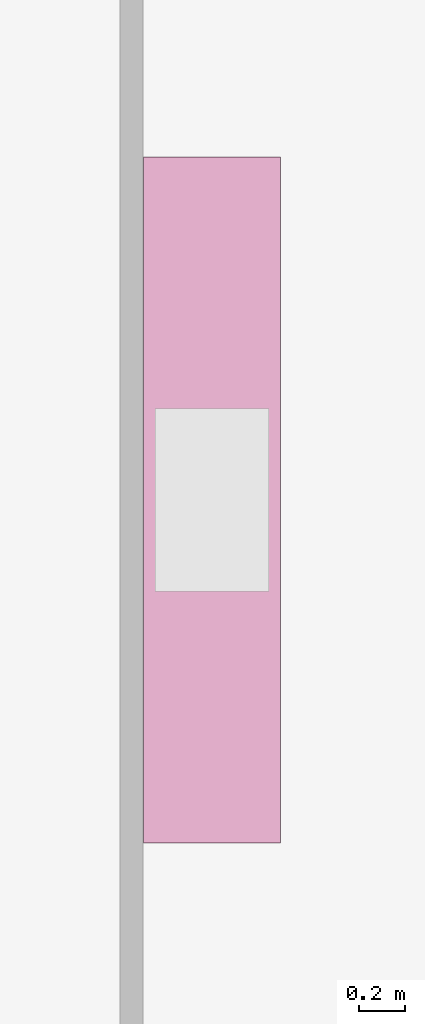
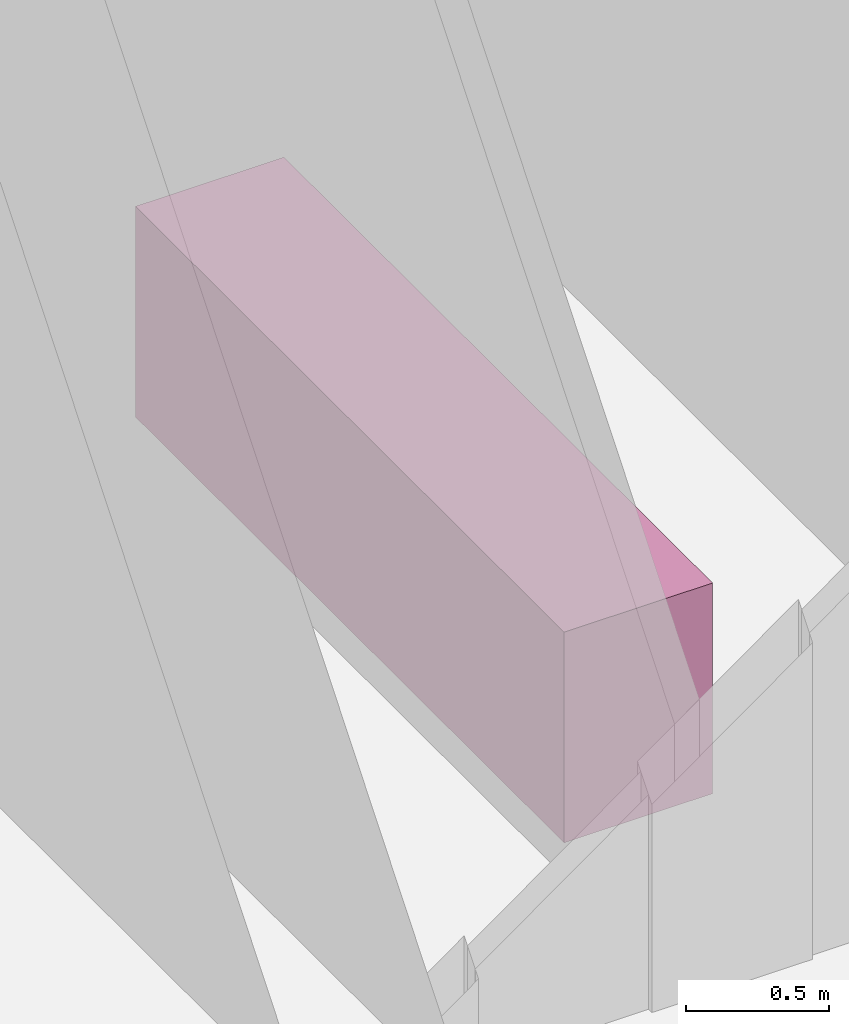
# One storey, part 28 of 28: 1 furniture element.
"""IFC4 building model written with IfcOpenShell, lengths in metres."""

from ifc_helpers import new_model, si_unit, direction, frame, origin, origin_2d, place, context, subcontext, project, spatial, rectangle, extrude, material, type_object, element, save


model = new_model("IFC4")

# Units and contexts
model_context = context("Model", 3, precision=1e-05, world=origin(), true_north=direction((0.0, 1.0)))
body_context = subcontext(model_context, "Body", "Model", "MODEL_VIEW")
ifc_project = project(units=[si_unit("LENGTHUNIT", "METRE"), si_unit("AREAUNIT", "SQUARE_METRE"), si_unit("VOLUMEUNIT", "CUBIC_METRE"), si_unit("PLANEANGLEUNIT", "RADIAN"), si_unit("MASSUNIT", "GRAM", prefix="KILO")], contexts=[model_context])

# Site, building, storey
site_placement = place(None, origin())
site = spatial("IfcSite", under=ifc_project, at=site_placement, CompositionType="ELEMENT")
building_placement = place(site_placement, origin())
building = spatial("IfcBuilding", under=site, at=building_placement, Name="Kvirike Care Tower", CompositionType="ELEMENT")
storey_placement = place(building_placement, frame((0.0, 0.0, 4.5)))
storey = spatial("IfcBuildingStorey", under=building, at=storey_placement, Name="L01", CompositionType="ELEMENT", Elevation=4.5)

# Furniture
ifc_material = material(Name="Laminated board", Category="wood")
furniture_type = type_object("IfcFurnitureType", Name="KITCHEN UNIT RUN 600", AssemblyPlace="FACTORY", PredefinedType="USERDEFINED", material=ifc_material)
furniture_placement = place(storey_placement, frame((16.052001953125, 39.60009765625, 0.0), z_axis=(0.0, 0.0, 1.0), x_axis=(0.0, 1.0, 0.0)))
element("IfcFurniture", 1, at=furniture_placement, inside=storey, type_object=furniture_type, Name="Kitchen unit run L01-066", ObjectType="KITCHEN UNIT", PredefinedType="USERDEFINED", context=body_context, shape_type="SweptSolid", body=[
    extrude(rectangle(XDim=3.0, YDim=0.60009765625, at=origin_2d()), origin(), (0.0, 0.0, 1.0), 0.89990234375),
])

save(model, "model.ifc")
